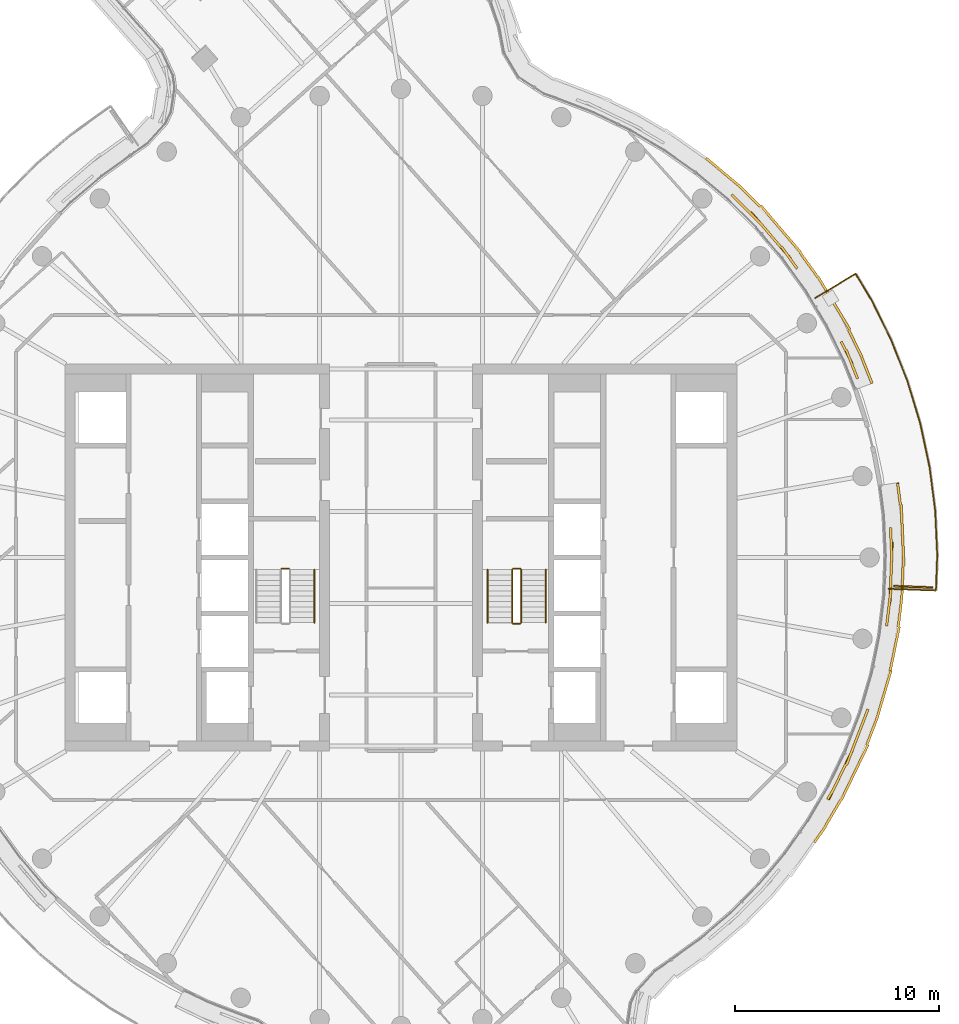
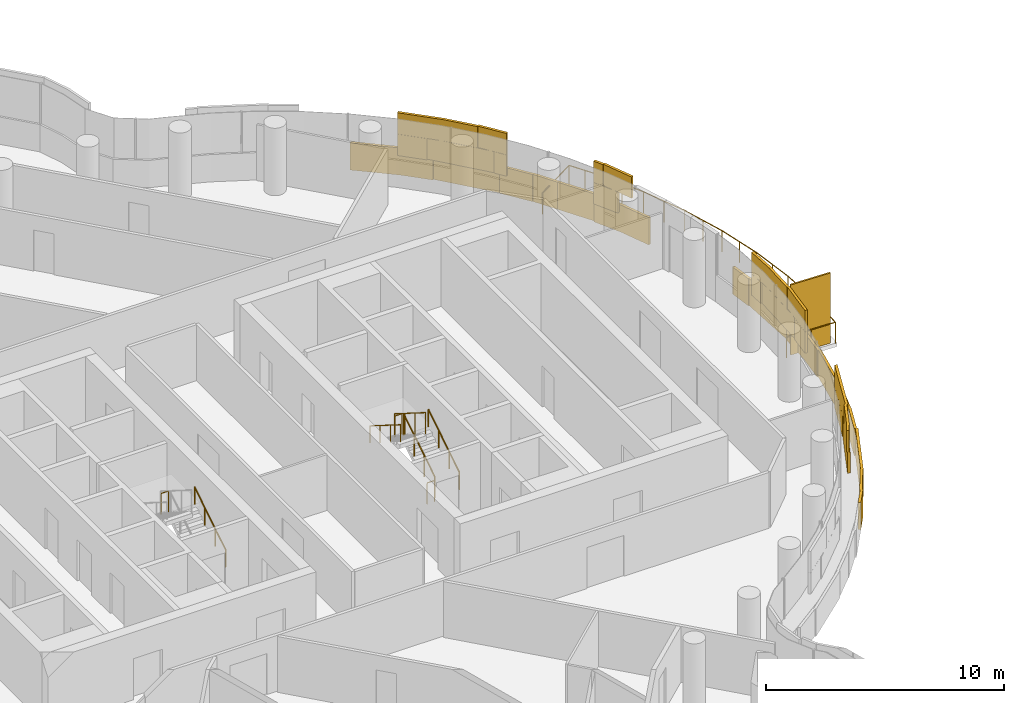
# One storey, part 30 of 33: 9 railings, 4 coverings, 1 shading device.
"""IFC4 building model written with IfcOpenShell, lengths in metres."""

import ifcopenshell
import ifcopenshell.guid

model = None  # the IFC model being written
_history = None  # IfcOwnerHistory: only IFC2X3 demands one
_inside = {}  # id of a spatial element -> (the spatial element, [elements in it])
_under = {}  # id of a project, library or spatial element -> (it, [spatial elements below it])
_declared = {}  # id of a project -> (the project, [libraries it declares])
_typed = {}  # id of a type object -> (the type object, [elements of that type])
_made_of = {}  # id of a material, layer set ... -> (it, [elements and type objects made of it])


def new_model(schema):
    """Start an empty IFC model of exactly this schema.

    Asked for "IFC4X3", IfcOpenShell would pick the latest addendum, in which some entities
    have other attributes; the version numbers below select the first issue.
    IFC2X3 requires an IfcOwnerHistory on every rooted entity: one is made here for all.
    """
    global model, _history
    if schema == "IFC4X3":
        model = ifcopenshell.file(schema_version=(4, 3, 0, 0))
    else:
        model = ifcopenshell.file(schema=schema)
    _inside.clear()
    _under.clear()
    _declared.clear()
    _typed.clear()
    _made_of.clear()
    _history = None
    if model.schema == "IFC2X3":
        org = make("IfcOrganization", Name="unknown")
        user = make(
            "IfcPersonAndOrganization",
            ThePerson=make("IfcPerson", FamilyName="unknown"),
            TheOrganization=org,
        )
        app = make(
            "IfcApplication",
            ApplicationDeveloper=org,
            Version="unknown",
            ApplicationFullName="unknown",
            ApplicationIdentifier="unknown",
        )
        _history = make(
            "IfcOwnerHistory",
            OwningUser=user,
            OwningApplication=app,
            ChangeAction="ADDED",
            CreationDate=0,
        )
    return model


def make(cls, **values):
    """One entity of the class cls with the attributes given. An attribute that is None is left unset."""
    return model.create_entity(
        cls, **{name: value for name, value in values.items() if value is not None}
    )


def rooted(cls, **values):
    """An entity with a GlobalId (a new one), such as an element, a storey or a relation."""
    return make(cls, GlobalId=ifcopenshell.guid.new(), OwnerHistory=_history, **values)


def si_unit(unit_type, name, prefix=None):
    """IfcSIUnit, for example si_unit("LENGTHUNIT", "METRE", prefix="MILLI")."""
    return make("IfcSIUnit", UnitType=unit_type, Prefix=prefix, Name=name)


def assignment(units):
    """IfcUnitAssignment: the units of a project."""
    return None if units is None else make("IfcUnitAssignment", Units=units)


def point(xyz):
    """IfcCartesianPoint."""
    return None if xyz is None else make("IfcCartesianPoint", Coordinates=xyz)


def direction(xyz):
    """IfcDirection."""
    return None if xyz is None else make("IfcDirection", DirectionRatios=xyz)


def frame(location, z_axis=None, x_axis=None):
    """IfcAxis2Placement3D, a coordinate frame: its origin and axes. An axis left out is left unset."""
    return make(
        "IfcAxis2Placement3D",
        Location=point(location),
        Axis=direction(z_axis),
        RefDirection=direction(x_axis),
    )


def frame_2d(location, x_axis=None):
    """IfcAxis2Placement2D, a coordinate frame in the plane: its origin and x axis."""
    return make(
        "IfcAxis2Placement2D", Location=point(location), RefDirection=direction(x_axis)
    )


def origin():
    """The frame at (0, 0, 0) with its axes left unset."""
    return frame((0.0, 0.0, 0.0))


def origin_2d():
    """The frame at (0, 0) in the plane with its x axis left unset."""
    return frame_2d((0.0, 0.0))


def place(relative_to, where):
    """IfcLocalPlacement: puts the frame where relative to a parent placement (None: the world)."""
    return make(
        "IfcLocalPlacement", PlacementRelTo=relative_to, RelativePlacement=where
    )


def context(
    kind, dimensions, precision=None, world=None, true_north=None, identifier=None
):
    """IfcGeometricRepresentationContext, for example the 3D "Model" context."""
    return make(
        "IfcGeometricRepresentationContext",
        ContextIdentifier=identifier,
        ContextType=kind,
        CoordinateSpaceDimension=dimensions,
        Precision=precision,
        WorldCoordinateSystem=world,
        TrueNorth=true_north,
    )


def subcontext(parent, identifier, kind, view, scale=None):
    """IfcGeometricRepresentationSubContext, for example "Body" below "Model"."""
    return make(
        "IfcGeometricRepresentationSubContext",
        ContextIdentifier=identifier,
        ContextType=kind,
        ParentContext=parent,
        TargetScale=scale,
        TargetView=view,
    )


def project(units=None, contexts=None):
    """IfcProject with its units and contexts."""
    return rooted(
        "IfcProject",
        Name="project",
        RepresentationContexts=contexts,
        UnitsInContext=assignment(units),
    )


def spatial(cls, under=None, at=None, **own):
    """A site, building, storey or space (cls), placed at a placement, below another one or the project."""
    s = rooted(cls, ObjectPlacement=at, **own)
    if under is not None:
        _under.setdefault(under.id(), (under, []))[1].append(s)
    return s


def profile(cls, at=None, kind="AREA", **sizes):
    """A parametric profile (cls). Its sizes go by their IFC names, for example OverallWidth=200.0."""
    return make(cls, ProfileType=kind, Position=at, **sizes)


def rectangle(**sizes):
    """IfcRectangleProfileDef."""
    return profile("IfcRectangleProfileDef", **sizes)


def circle(**sizes):
    """IfcCircleProfileDef."""
    return profile("IfcCircleProfileDef", **sizes)


def extrude(swept, where, along, depth):
    """IfcExtrudedAreaSolid: the profile swept, set in the frame where, extruded along a direction by depth."""
    return make(
        "IfcExtrudedAreaSolid",
        SweptArea=swept,
        Position=where,
        ExtrudedDirection=direction(along),
        Depth=depth,
    )


def shape(context_of_items, identifier, shape_type, items):
    """IfcShapeRepresentation: the items that make up one representation, for example the "Body"."""
    return make(
        "IfcShapeRepresentation",
        ContextOfItems=context_of_items,
        RepresentationIdentifier=identifier,
        RepresentationType=shape_type,
        Items=items,
    )


def material(Name=None, Category=None):
    """IfcMaterial."""
    return make("IfcMaterial", Name=Name, Category=Category)


def layer(
    of_material, thickness, ventilated=None, Name=None, Category=None, Priority=None
):
    """IfcMaterialLayer: one layer of a wall or slab, of a material (None: an air gap)."""
    return make(
        "IfcMaterialLayer",
        Material=of_material,
        LayerThickness=thickness,
        IsVentilated=ventilated,
        Name=Name,
        Category=Category,
        Priority=Priority,
    )


def layer_set(layers, Name=None):
    """IfcMaterialLayerSet."""
    return make("IfcMaterialLayerSet", MaterialLayers=layers, LayerSetName=Name)


def made_of(thing, what):
    """Note that an element or type object is made of a material, layer set ...; save() writes the relation."""
    if what is not None:
        _made_of.setdefault(what.id(), (what, []))[1].append(thing)
    return thing


def type_object(cls, material=None, **own):
    """A type object (cls), such as IfcWallType, which elements share."""
    return made_of(rooted(cls, **own), material)


def element(
    cls,
    number,
    at=None,
    inside=None,
    cuts=None,
    type_object=None,
    material=None,
    context=None,
    identifier="Body",
    shape_type=None,
    held_by="IfcProductDefinitionShape",
    body=None,
    shapes=None,
    **own,
):
    """One element of the class cls, such as IfcWall. Its Tag is "e" and its number.

    at: its placement. inside: the storey or other place that contains it. cuts: it is an
    opening in that element (IfcRelVoidsElement). A single representation is given by context,
    identifier, shape_type and body (its items); several are given by shapes. held_by: the class
    of the entity that holds the representations. save() writes the other relations.
    """
    e = rooted(cls, Tag="e%d" % number, ObjectPlacement=at, **own)
    if body is not None:
        shapes = [shape(context, identifier, shape_type, body)]
    if shapes is not None:
        e.Representation = make(held_by, Representations=shapes)
    if inside is not None:
        _inside.setdefault(inside.id(), (inside, []))[1].append(e)
    if cuts is not None:
        rooted(
            "IfcRelVoidsElement", RelatingBuildingElement=cuts, RelatedOpeningElement=e
        )
    if type_object is not None:
        _typed.setdefault(type_object.id(), (type_object, []))[1].append(e)
    return made_of(e, material)


def aggregate(whole, parts):
    """IfcRelAggregates: a whole, such as a stair, and the parts it consists of."""
    return rooted("IfcRelAggregates", RelatingObject=whole, RelatedObjects=parts)


def save(model, path):
    """Write the relations noted so far, then the file.

    IfcRelAggregates (storeys below a building ...), IfcRelContainedInSpatialStructure (elements
    in a storey), IfcRelDefinesByType, IfcRelAssociatesMaterial and IfcRelDeclares: one each for
    every whole, place, type object, material and project.
    """
    for whole, parts in _under.values():
        aggregate(whole, parts)
    for where, things in _inside.values():
        rooted(
            "IfcRelContainedInSpatialStructure",
            RelatedElements=things,
            RelatingStructure=where,
        )
    for kind, things in _typed.values():
        rooted("IfcRelDefinesByType", RelatedObjects=things, RelatingType=kind)
    for what, things in _made_of.values():
        rooted("IfcRelAssociatesMaterial", RelatedObjects=things, RelatingMaterial=what)
    for by, libraries in _declared.values():
        rooted("IfcRelDeclares", RelatingContext=by, RelatedDefinitions=libraries)
    model.write(path)


model = new_model("IFC4")

# Units and contexts
model_context = context("Model", 3, precision=1e-05, world=origin(), true_north=direction((0.0, 1.0)))
body_context = subcontext(model_context, "Body", "Model", "MODEL_VIEW")
ifc_project = project(units=[si_unit("LENGTHUNIT", "METRE"), si_unit("AREAUNIT", "SQUARE_METRE"), si_unit("VOLUMEUNIT", "CUBIC_METRE"), si_unit("PLANEANGLEUNIT", "RADIAN"), si_unit("MASSUNIT", "GRAM", prefix="KILO")], contexts=[model_context])

# Site, building, storey
site_placement = place(None, origin())
site = spatial("IfcSite", under=ifc_project, at=site_placement, CompositionType="ELEMENT")
building_placement = place(site_placement, origin())
building = spatial("IfcBuilding", under=site, at=building_placement, Name="Tamarind Cross Interchange Tower", CompositionType="ELEMENT")
storey_placement = place(building_placement, frame((0.0, 0.0, 186.10009765625)))
storey = spatial("IfcBuildingStorey", under=building, at=storey_placement, Name="L46", CompositionType="ELEMENT", Elevation=186.10009765625)

# Railing
ifc_material_1 = material(Name="Stainless steel and laminated glass", Category="steel")
railing_type_1 = type_object("IfcRailingType", Name="Balcony guard", PredefinedType="BALUSTRADE", material=ifc_material_1)
railing_1_placement = place(storey_placement, frame((23.934814453125, -1.53857421875, 0.0)))
element("IfcRailing", 1, at=railing_1_placement, inside=storey, type_object=railing_type_1, Name="Balcony guard 06", PredefinedType="BALUSTRADE", context=body_context, shape_type="SweptSolid", body=[
    extrude(circle(Radius=0.02490234375, at=origin_2d()), frame((0.0, 0.0, 1.0751953125), z_axis=(0.999313824397, -0.037038903463, 0.0), x_axis=(0.037038903463, 0.999313824397, 0.0)), (0.0, 0.0, 1.0), 2.3203125),
    extrude(circle(Radius=0.02490234375, at=origin_2d()), frame((2.318603515625, -0.0859375, 1.0751953125), z_axis=(0.036923385799, 0.999318099296, 0.0), x_axis=(-0.999318099296, 0.036923385799, 0.0)), (0.0, 0.0, 1.0), 1.739013671875),
    extrude(circle(Radius=0.02490234375, at=origin_2d()), frame((2.3828125, 1.65185546875, 1.0751953125), z_axis=(-0.045570585979, 0.998961121212, 0.0), x_axis=(-0.998961121212, -0.045570585979, 0.0)), (0.0, 0.0, 1.0), 2.175048828125),
    extrude(circle(Radius=0.02490234375, at=origin_2d()), frame((2.28369140625, 3.82470703125, 1.0751953125), z_axis=(-0.127957091824, 0.991779704699, 0.0), x_axis=(-0.991779704699, -0.127957091824, 0.0)), (0.0, 0.0, 1.0), 2.175048828125),
    extrude(circle(Radius=0.02490234375, at=origin_2d()), frame((2.00537109375, 5.98193359375, 1.0751953125), z_axis=(-0.209437106955, 0.977822119933, 0.0), x_axis=(-0.977822119933, -0.209437106955, 0.0)), (0.0, 0.0, 1.0), 2.17529296875),
    extrude(circle(Radius=0.02490234375, at=origin_2d()), frame((1.5498046875, 8.10888671875, 1.0751953125), z_axis=(-0.289468424656, 0.957187563191, 0.0), x_axis=(-0.957187563191, -0.289468424656, 0.0)), (0.0, 0.0, 1.0), 2.175048828125),
    extrude(circle(Radius=0.02490234375, at=origin_2d()), frame((0.920166015625, 10.19091796875, 1.0751953125), z_axis=(-0.367439931593, 0.930047255074, 0.0), x_axis=(-0.930047255074, -0.367439931593, 0.0)), (0.0, 0.0, 1.0), 2.17529296875),
    extrude(circle(Radius=0.02490234375, at=origin_2d()), frame((0.120849609375, 12.214111328125, 1.0751953125), z_axis=(-0.443123395184, 0.896460627491, 0.0), x_axis=(-0.896460627491, -0.443123395184, 0.0)), (0.0, 0.0, 1.0), 2.175048828125),
    extrude(circle(Radius=0.02490234375, at=origin_2d()), frame((-0.843017578125, 14.1640625, 1.0751953125), z_axis=(-0.515584249681, 0.85683888887, 0.0), x_axis=(-0.85683888887, -0.515584249681, 0.0)), (0.0, 0.0, 1.0), 1.5166015625),
    extrude(circle(Radius=0.02490234375, at=origin_2d()), frame((-1.625, 15.463623046875, 1.0751953125), z_axis=(-0.856879513456, -0.515516730495, 0.0), x_axis=(0.515516730495, -0.856879513456, 0.0)), (0.0, 0.0, 1.0), 2.320068359375),
    extrude(circle(Radius=0.02001953125, at=origin_2d()), origin(), (0.0, 0.0, 1.0), 1.050048828125),
    extrude(circle(Radius=0.02001953125, at=origin_2d()), frame((1.1591796875, -0.04296875, 0.0)), (0.0, 0.0, 1.0), 1.050048828125),
    extrude(circle(Radius=0.02001953125, at=origin_2d()), frame((2.318603515625, -0.0859375, 0.0)), (0.0, 0.0, 1.0), 1.050048828125),
    extrude(circle(Radius=0.02001953125, at=origin_2d()), frame((2.3505859375, 0.782958984375, 0.0)), (0.0, 0.0, 1.0), 1.050048828125),
    extrude(circle(Radius=0.02001953125, at=origin_2d()), frame((2.3828125, 1.65185546875, 0.0)), (0.0, 0.0, 1.0), 1.050048828125),
    extrude(circle(Radius=0.02001953125, at=origin_2d()), frame((2.333251953125, 2.73828125, 0.0)), (0.0, 0.0, 1.0), 1.050048828125),
    extrude(circle(Radius=0.02001953125, at=origin_2d()), frame((2.28369140625, 3.82470703125, 0.0)), (0.0, 0.0, 1.0), 1.050048828125),
    extrude(circle(Radius=0.02001953125, at=origin_2d()), frame((2.14453125, 4.9033203125, 0.0)), (0.0, 0.0, 1.0), 1.050048828125),
    extrude(circle(Radius=0.02001953125, at=origin_2d()), frame((2.00537109375, 5.98193359375, 0.0)), (0.0, 0.0, 1.0), 1.050048828125),
    extrude(circle(Radius=0.02001953125, at=origin_2d()), frame((1.777587890625, 7.04541015625, 0.0)), (0.0, 0.0, 1.0), 1.050048828125),
    extrude(circle(Radius=0.02001953125, at=origin_2d()), frame((1.5498046875, 8.10888671875, 0.0)), (0.0, 0.0, 1.0), 1.050048828125),
    extrude(circle(Radius=0.02001953125, at=origin_2d()), frame((1.23486328125, 9.14990234375, 0.0)), (0.0, 0.0, 1.0), 1.050048828125),
    extrude(circle(Radius=0.02001953125, at=origin_2d()), frame((0.920166015625, 10.19091796875, 0.0)), (0.0, 0.0, 1.0), 1.050048828125),
    extrude(circle(Radius=0.02001953125, at=origin_2d()), frame((0.5205078125, 11.20263671875, 0.0)), (0.0, 0.0, 1.0), 1.050048828125),
    extrude(circle(Radius=0.02001953125, at=origin_2d()), frame((0.120849609375, 12.214111328125, 0.0)), (0.0, 0.0, 1.0), 1.050048828125),
    extrude(circle(Radius=0.02001953125, at=origin_2d()), frame((-0.361083984375, 13.18896484375, 0.0)), (0.0, 0.0, 1.0), 1.050048828125),
    extrude(circle(Radius=0.02001953125, at=origin_2d()), frame((-0.843017578125, 14.1640625, 0.0)), (0.0, 0.0, 1.0), 1.050048828125),
    extrude(circle(Radius=0.02001953125, at=origin_2d()), frame((-1.23388671875, 14.81396484375, 0.0)), (0.0, 0.0, 1.0), 1.050048828125),
    extrude(circle(Radius=0.02001953125, at=origin_2d()), frame((-1.625, 15.463623046875, 0.0)), (0.0, 0.0, 1.0), 1.050048828125),
    extrude(circle(Radius=0.02001953125, at=origin_2d()), frame((-2.619140625, 14.86572265625, 0.0)), (0.0, 0.0, 1.0), 1.050048828125),
    extrude(circle(Radius=0.02001953125, at=origin_2d()), frame((-3.613037109375, 14.267578125, 0.0)), (0.0, 0.0, 1.0), 1.050048828125),
])

# Shading device
ifc_material_2 = material(Name="Bronze-finish aluminium louvre", Category="aluminium")
ifc_layer_1 = layer(ifc_material_2, 0.080078125)
ifc_layer_set_1 = layer_set([ifc_layer_1], Name="Bronze-finish aluminium louvre")
shading_device_type = type_object("IfcShadingDeviceType", Name="Operable louvre bay", PredefinedType="JALOUSIE", material=ifc_layer_set_1)
shading_device_placement = place(storey_placement, origin())
element("IfcShadingDevice", 2, at=shading_device_placement, inside=storey, type_object=shading_device_type, Name="LVR-L46-BAL06", PredefinedType="JALOUSIE", context=body_context, shape_type="SweptSolid", body=[
    extrude(rectangle(XDim=1.89990234375, YDim=0.080078125, at=origin_2d()), frame((25.13916015625, -1.443115234375, -0.000244140625), z_axis=(0.0, 0.0, 1.0), x_axis=(0.999314350871, -0.037024696392, 0.0)), (0.0, 0.0, 1.0), 3.60009765625),
])

# Railings
ifc_material_3 = material(Name="Stair guard")
railing_type_2 = type_object("IfcRailingType", Name="Stair guard", PredefinedType="GUARDRAIL", material=ifc_material_3)
railing_2_placement = place(storey_placement, frame((-5.5, -0.550048828125, 1.7998046875)))
element("IfcRailing", 3, at=railing_2_placement, inside=storey, type_object=railing_type_2, Name="L46 ST1 stair guard 2", PredefinedType="GUARDRAIL", context=body_context, shape_type="SweptSolid", body=[
    extrude(circle(Radius=0.02392578125, at=origin_2d()), frame((0.0, 0.0, 1.076171875), z_axis=(-1.0, 0.0, 0.0), x_axis=(0.0, -1.0, 0.0)), (0.0, 0.0, 1.0), 0.35009765625),
    extrude(circle(Radius=0.02099609375, at=origin_2d()), origin(), (0.0, 0.0, 1.0), 1.052001953125),
    extrude(circle(Radius=0.02099609375, at=origin_2d()), frame((-0.35009765625, 0.0, 0.0)), (0.0, 0.0, 1.0), 1.052001953125),
])
railing_3_placement = place(storey_placement, frame((5.89990234375, -3.199951171875, 0.16357421875)))
element("IfcRailing", 4, at=railing_3_placement, inside=storey, type_object=railing_type_2, Name="L46 ST2 stair guard 1", PredefinedType="GUARDRAIL", context=body_context, shape_type="SweptSolid", body=[
    extrude(circle(Radius=0.02392578125, at=origin_2d()), frame((0.0, 0.0, 1.076171875), z_axis=(0.0, 0.846337672412, 0.532646734952), x_axis=(-1.0, 0.0, 0.0)), (0.0, 0.0, 1.0), 3.07177734375),
    extrude(circle(Radius=0.02099609375, at=origin_2d()), origin(), (0.0, 0.0, 1.0), 1.052001953125),
    extrude(circle(Radius=0.02099609375, at=origin_2d()), frame((0.0, 0.86669921875, 0.54541015625)), (0.0, 0.0, 1.0), 1.052001953125),
    extrude(circle(Radius=0.02099609375, at=origin_2d()), frame((0.0, 1.733154296875, 1.0908203125)), (0.0, 0.0, 1.0), 1.052001953125),
    extrude(circle(Radius=0.02099609375, at=origin_2d()), frame((0.0, 2.599853515625, 1.63623046875)), (0.0, 0.0, 1.0), 1.052001953125),
])
railing_4_placement = place(storey_placement, frame((5.85009765625, -0.550048828125, 1.7998046875)))
element("IfcRailing", 5, at=railing_4_placement, inside=storey, type_object=railing_type_2, Name="L46 ST2 stair guard 2", PredefinedType="GUARDRAIL", context=body_context, shape_type="SweptSolid", body=[
    extrude(circle(Radius=0.02392578125, at=origin_2d()), frame((0.0, 0.0, 1.076171875), z_axis=(-1.0, 0.0, 0.0), x_axis=(0.0, -1.0, 0.0)), (0.0, 0.0, 1.0), 0.35009765625),
    extrude(circle(Radius=0.02099609375, at=origin_2d()), origin(), (0.0, 0.0, 1.0), 1.052001953125),
    extrude(circle(Radius=0.02099609375, at=origin_2d()), frame((-0.35009765625, 0.0, 0.0)), (0.0, 0.0, 1.0), 1.052001953125),
])
railing_5_placement = place(storey_placement, frame((5.449951171875, -0.60009765625, 1.963623046875)))
element("IfcRailing", 6, at=railing_5_placement, inside=storey, type_object=railing_type_2, Name="L46 ST2 stair guard 3", PredefinedType="GUARDRAIL", context=body_context, shape_type="SweptSolid", body=[
    extrude(circle(Radius=0.02392578125, at=origin_2d()), frame((0.0, 0.0, 1.076171875), z_axis=(0.0, -0.846337672412, 0.532646734952), x_axis=(1.0, 0.0, 0.0)), (0.0, 0.0, 1.0), 3.07177734375),
    extrude(circle(Radius=0.02099609375, at=origin_2d()), origin(), (0.0, 0.0, 1.0), 1.052001953125),
    extrude(circle(Radius=0.02099609375, at=origin_2d()), frame((0.0, -0.86669921875, 0.54541015625)), (0.0, 0.0, 1.0), 1.052001953125),
    extrude(circle(Radius=0.02099609375, at=origin_2d()), frame((0.0, -1.733154296875, 1.0908203125)), (0.0, 0.0, 1.0), 1.052001953125),
    extrude(circle(Radius=0.02099609375, at=origin_2d()), frame((0.0, -2.599853515625, 1.63623046875)), (0.0, 0.0, 1.0), 1.052001953125),
])
railing_6_placement = place(storey_placement, frame((5.85009765625, -3.25, 0.0)))
element("IfcRailing", 7, at=railing_6_placement, inside=storey, type_object=railing_type_2, Name="L46 ST2 stair guard 4", PredefinedType="GUARDRAIL", context=body_context, shape_type="SweptSolid", body=[
    extrude(circle(Radius=0.02392578125, at=origin_2d()), frame((0.0, 0.0, 1.076171875), z_axis=(-1.0, 0.0, 0.0), x_axis=(0.0, -1.0, 0.0)), (0.0, 0.0, 1.0), 0.35009765625),
    extrude(circle(Radius=0.02099609375, at=origin_2d()), origin(), (0.0, 0.0, 1.0), 1.052001953125),
    extrude(circle(Radius=0.02099609375, at=origin_2d()), frame((-0.35009765625, 0.0, 0.0)), (0.0, 0.0, 1.0), 1.052001953125),
])
ifc_material_4 = material(Name="Stair handrail")
railing_type_3 = type_object("IfcRailingType", Name="Stair handrail", PredefinedType="HANDRAIL", material=ifc_material_4)
for number, where, name in (
    (8, (-4.25, -3.199951171875, 0.16357421875), "L46 ST1 stair handrail 1"),
    (9, (7.10009765625, -3.199951171875, 0.16357421875), "L46 ST2 stair handrail 1"),
):
    element("IfcRailing", number, at=place(storey_placement, frame(where)), inside=storey, type_object=railing_type_3, Name=name, PredefinedType="HANDRAIL", context=body_context, shape_type="SweptSolid", body=[
        extrude(circle(Radius=0.02392578125, at=origin_2d()), frame((0.0, 0.0, 0.8759765625), z_axis=(0.0, 0.846337672412, 0.532646734952), x_axis=(-1.0, 0.0, 0.0)), (0.0, 0.0, 1.0), 3.07177734375),
        extrude(circle(Radius=0.02099609375, at=origin_2d()), origin(), (0.0, 0.0, 1.0), 0.851806640625),
        extrude(circle(Radius=0.02099609375, at=origin_2d()), frame((0.0, 0.86669921875, 0.54541015625)), (0.0, 0.0, 1.0), 0.851806640625),
        extrude(circle(Radius=0.02099609375, at=origin_2d()), frame((0.0, 1.733154296875, 1.0908203125)), (0.0, 0.0, 1.0), 0.851806640625),
        extrude(circle(Radius=0.02099609375, at=origin_2d()), frame((0.0, 2.599853515625, 1.63623046875)), (0.0, 0.0, 1.0), 0.851806640625),
    ])
railing_7_placement = place(storey_placement, frame((4.25, -0.60009765625, 1.963623046875)))
element("IfcRailing", 10, at=railing_7_placement, inside=storey, type_object=railing_type_3, Name="L46 ST2 stair handrail 2", PredefinedType="HANDRAIL", context=body_context, shape_type="SweptSolid", body=[
    extrude(circle(Radius=0.02392578125, at=origin_2d()), frame((0.0, 0.0, 0.8759765625), z_axis=(0.0, -0.846337672412, 0.532646734952), x_axis=(1.0, 0.0, 0.0)), (0.0, 0.0, 1.0), 3.07177734375),
    extrude(circle(Radius=0.02099609375, at=origin_2d()), origin(), (0.0, 0.0, 1.0), 0.851806640625),
    extrude(circle(Radius=0.02099609375, at=origin_2d()), frame((0.0, -0.86669921875, 0.54541015625)), (0.0, 0.0, 1.0), 0.851806640625),
    extrude(circle(Radius=0.02099609375, at=origin_2d()), frame((0.0, -1.733154296875, 1.0908203125)), (0.0, 0.0, 1.0), 0.851806640625),
    extrude(circle(Radius=0.02099609375, at=origin_2d()), frame((0.0, -2.599853515625, 1.63623046875)), (0.0, 0.0, 1.0), 0.851806640625),
])

# Coverings
ifc_material_5 = material(Name="Terracotta", Category="masonry")
ifc_layer_2 = layer(ifc_material_5, 0.1201171875)
ifc_layer_set_2 = layer_set([ifc_layer_2], Name="Terracotta")
covering_type = type_object("IfcCoveringType", Name="Terracotta baguette screen unit", PredefinedType="MOLDING", material=ifc_layer_set_2)
covering_1_placement = place(storey_placement, origin())
element("IfcCovering", 11, at=covering_1_placement, inside=storey, type_object=covering_type, Name="SCR-L46-06-01", PredefinedType="MOLDING", context=body_context, shape_type="SweptSolid", body=[
    extrude(rectangle(XDim=1.177978515625, YDim=0.1201171875, at=origin_2d()), frame((21.234619140625, -11.367431640625, 1.40380859375), z_axis=(0.0, 0.0, 1.0), x_axis=(0.435326231914, 0.900272776334, 0.0)), (0.0, 0.0, 1.0), 1.092041015625),
    extrude(rectangle(XDim=1.52001953125, YDim=0.1201171875, at=origin_2d()), frame((21.8154296875, -10.16650390625, 1.40380859375), z_axis=(0.0, 0.0, 1.0), x_axis=(0.435326231914, 0.900272776334, 0.0)), (0.0, 0.0, 1.0), 1.092041015625),
    extrude(rectangle(XDim=1.52001953125, YDim=0.1201171875, at=origin_2d()), frame((22.404052734375, -8.7880859375, 1.40380859375), z_axis=(0.0, 0.0, 1.0), x_axis=(0.359495435512, 0.933146843667, 0.0)), (0.0, 0.0, 1.0), 1.092041015625),
    extrude(rectangle(XDim=0.684814453125, YDim=0.1201171875, at=origin_2d()), frame((22.794921875, -7.7734375, 1.40380859375), z_axis=(0.0, 0.0, 1.0), x_axis=(0.359495435512, 0.933146843667, 0.0)), (0.0, 0.0, 1.0), 1.092041015625),
    extrude(rectangle(XDim=0.427978515625, YDim=0.1201171875, at=origin_2d()), frame((21.04443359375, -11.690673828125, 2.50390625), z_axis=(0.0, 0.0, 1.0), x_axis=(0.508183308752, 0.861248933065, 0.0)), (0.0, 0.0, 1.0), 1.092041015625),
    extrude(rectangle(XDim=1.52001953125, YDim=0.1201171875, at=origin_2d()), frame((21.48876953125, -10.841552734375, 2.50390625), z_axis=(0.0, 0.0, 1.0), x_axis=(0.435326231914, 0.900272776334, 0.0)), (0.0, 0.0, 1.0), 1.092041015625),
    extrude(rectangle(XDim=1.52001953125, YDim=0.1201171875, at=origin_2d()), frame((22.13427734375, -9.488037109375, 2.50390625), z_axis=(0.0, 0.0, 1.0), x_axis=(0.359495435512, 0.933146843667, 0.0)), (0.0, 0.0, 1.0), 1.092041015625),
    extrude(rectangle(XDim=1.434814453125, YDim=0.1201171875, at=origin_2d()), frame((22.66015625, -8.123291015625, 2.50390625), z_axis=(0.0, 0.0, 1.0), x_axis=(0.359495435512, 0.933146843667, 0.0)), (0.0, 0.0, 1.0), 1.092041015625),
    extrude(rectangle(XDim=0.96337890625, YDim=0.1201171875, at=origin_2d()), frame((20.574462890625, -13.58056640625, 0.00390625), z_axis=(0.0, 0.0, 1.0), x_axis=(0.577568978284, 0.816341886298, 0.0)), (0.0, 0.0, 1.0), 1.39208984375),
    extrude(rectangle(XDim=1.52001953125, YDim=0.1201171875, at=origin_2d()), frame((21.210693359375, -12.538330078125, 0.00390625), z_axis=(0.0, 0.0, 1.0), x_axis=(0.508183308752, 0.861248933065, 0.0)), (0.0, 0.0, 1.0), 1.39208984375),
    extrude(rectangle(XDim=1.52001953125, YDim=0.1201171875, at=origin_2d()), frame((21.939208984375, -11.228515625, 0.00390625), z_axis=(0.0, 0.0, 1.0), x_axis=(0.435326231914, 0.900272776334, 0.0)), (0.0, 0.0, 1.0), 1.39208984375),
    extrude(rectangle(XDim=1.52001953125, YDim=0.1201171875, at=origin_2d()), frame((22.59228515625, -9.878173828125, 0.00390625), z_axis=(0.0, 0.0, 1.0), x_axis=(0.435326231914, 0.900272776334, 0.0)), (0.0, 0.0, 1.0), 1.39208984375),
    extrude(rectangle(XDim=1.52001953125, YDim=0.1201171875, at=origin_2d()), frame((23.137451171875, -8.48095703125, 0.00390625), z_axis=(0.0, 0.0, 1.0), x_axis=(0.359495435512, 0.933146843667, 0.0)), (0.0, 0.0, 1.0), 1.39208984375),
    extrude(rectangle(XDim=1.52001953125, YDim=0.1201171875, at=origin_2d()), frame((23.607421875, -7.057861328125, 0.00390625), z_axis=(0.0, 0.0, 1.0), x_axis=(0.281208920763, 0.95964657186, 0.0)), (0.0, 0.0, 1.0), 1.39208984375),
    extrude(rectangle(XDim=0.81494140625, YDim=0.1201171875, at=origin_2d()), frame((23.93017578125, -5.95654296875, 0.00390625), z_axis=(0.0, 0.0, 1.0), x_axis=(0.281208920763, 0.95964657186, 0.0)), (0.0, 0.0, 1.0), 1.39208984375),
])
covering_2_placement = place(storey_placement, origin())
element("IfcCovering", 12, at=covering_2_placement, inside=storey, type_object=covering_type, Name="SCR-L46-06-02", PredefinedType="MOLDING", context=body_context, shape_type="SweptSolid", body=[
    extrude(rectangle(XDim=1.13525390625, YDim=0.1201171875, at=origin_2d()), frame((23.9013671875, -2.8056640625, 1.40380859375), z_axis=(0.0, 0.0, 1.0), x_axis=(0.119420963295, 0.992843710523, 0.0)), (0.0, 0.0, 1.0), 1.092041015625),
    extrude(rectangle(XDim=1.52001953125, YDim=0.1201171875, at=origin_2d()), frame((24.0263671875, -1.5, 1.40380859375), z_axis=(0.0, 0.0, 1.0), x_axis=(0.037024696392, 0.999314350871, 0.0)), (0.0, 0.0, 1.0), 1.092041015625),
    extrude(rectangle(XDim=1.52001953125, YDim=0.1201171875, at=origin_2d()), frame((24.08203125, -0.0009765625, 1.40380859375), z_axis=(0.0, 0.0, 1.0), x_axis=(0.037024696392, 0.999314350871, 0.0)), (0.0, 0.0, 1.0), 1.092041015625),
    extrude(rectangle(XDim=0.72802734375, YDim=0.1201171875, at=origin_2d()), frame((24.0400390625, 1.10693359375, 1.40380859375), z_axis=(0.0, 0.0, 1.0), x_axis=(-0.045624486728, 0.998958660912, 0.0)), (0.0, 0.0, 1.0), 1.092041015625),
    extrude(rectangle(XDim=0.38525390625, YDim=0.1201171875, at=origin_2d()), frame((23.856689453125, -3.177978515625, 2.50390625), z_axis=(0.0, 0.0, 1.0), x_axis=(0.119420963295, 0.992843710523, 0.0)), (0.0, 0.0, 1.0), 1.092041015625),
    extrude(rectangle(XDim=1.52001953125, YDim=0.1201171875, at=origin_2d()), frame((23.96875, -2.2470703125, 2.50390625), z_axis=(0.0, 0.0, 1.0), x_axis=(0.119420963295, 0.992843710523, 0.0)), (0.0, 0.0, 1.0), 1.092041015625),
    extrude(rectangle(XDim=1.52001953125, YDim=0.1201171875, at=origin_2d()), frame((24.05419921875, -0.75048828125, 2.50390625), z_axis=(0.0, 0.0, 1.0), x_axis=(0.037024696392, 0.999314350871, 0.0)), (0.0, 0.0, 1.0), 1.092041015625),
    extrude(rectangle(XDim=1.47802734375, YDim=0.1201171875, at=origin_2d()), frame((24.05712890625, 0.732421875, 2.50390625), z_axis=(0.0, 0.0, 1.0), x_axis=(-0.045624486728, 0.998958660912, 0.0)), (0.0, 0.0, 1.0), 1.092041015625),
    extrude(rectangle(XDim=0.705078125, YDim=0.1201171875, at=origin_2d()), frame((24.083251953125, -5.212158203125, 0.00390625), z_axis=(0.0, 0.0, 1.0), x_axis=(0.201001463943, 0.9795909409, 0.0)), (0.0, 0.0, 1.0), 1.39208984375),
    extrude(rectangle(XDim=1.52001953125, YDim=0.1201171875, at=origin_2d()), frame((24.302978515625, -4.14208984375, 0.00390625), z_axis=(0.0, 0.0, 1.0), x_axis=(0.201001463943, 0.9795909409, 0.0)), (0.0, 0.0, 1.0), 1.39208984375),
    extrude(rectangle(XDim=1.52001953125, YDim=0.1201171875, at=origin_2d()), frame((24.49755859375, -2.6552734375, 0.00390625), z_axis=(0.0, 0.0, 1.0), x_axis=(0.119420963295, 0.992843710523, 0.0)), (0.0, 0.0, 1.0), 1.39208984375),
    extrude(rectangle(XDim=1.52001953125, YDim=0.1201171875, at=origin_2d()), frame((24.61328125, -1.1611328125, 0.00390625), z_axis=(0.0, 0.0, 1.0), x_axis=(0.037024696392, 0.999314350871, 0.0)), (0.0, 0.0, 1.0), 1.39208984375),
    extrude(rectangle(XDim=1.52001953125, YDim=0.1201171875, at=origin_2d()), frame((24.649658203125, 0.337890625, 0.00390625), z_axis=(0.0, 0.0, 1.0), x_axis=(-0.045624486728, 0.998958660912, 0.0)), (0.0, 0.0, 1.0), 1.39208984375),
    extrude(rectangle(XDim=1.52001953125, YDim=0.1201171875, at=origin_2d()), frame((24.581298828125, 1.83642578125, 0.00390625), z_axis=(0.0, 0.0, 1.0), x_axis=(-0.045624486728, 0.998958660912, 0.0)), (0.0, 0.0, 1.0), 1.39208984375),
    extrude(rectangle(XDim=1.073974609375, YDim=0.1201171875, at=origin_2d()), frame((24.443115234375, 3.10498046875, 0.00390625), z_axis=(0.0, 0.0, 1.0), x_axis=(-0.127962008342, 0.991779070368, 0.0)), (0.0, 0.0, 1.0), 1.39208984375),
])
covering_3_placement = place(storey_placement, origin())
element("IfcCovering", 13, at=covering_3_placement, inside=storey, type_object=covering_type, Name="SCR-L46-06-03", PredefinedType="MOLDING", context=body_context, shape_type="SweptSolid", body=[
    extrude(rectangle(XDim=1.23583984375, YDim=0.1201171875, at=origin_2d()), frame((21.880615234375, 10.043212890625, 1.40380859375), z_axis=(0.0, 0.0, 1.0), x_axis=(-0.443058811505, 0.896492548518, 0.0)), (0.0, 0.0, 1.0), 1.092041015625),
    extrude(rectangle(XDim=1.52001953125, YDim=0.1201171875, at=origin_2d()), frame((22.128662109375, 9.4833984375, 2.50390625), z_axis=(0.0, 0.0, 1.0), x_axis=(-0.367513773146, 0.930018078613, 0.0)), (0.0, 0.0, 1.0), 1.092041015625),
    extrude(rectangle(XDim=0.48583984375, YDim=0.1201171875, at=origin_2d()), frame((21.71435546875, 10.37939453125, 2.50390625), z_axis=(0.0, 0.0, 1.0), x_axis=(-0.443058811505, 0.896492548518, 0.0)), (0.0, 0.0, 1.0), 1.092041015625),
    extrude(rectangle(XDim=0.03076171875, YDim=0.1201171875, at=origin_2d()), frame((24.372314453125, 3.65283203125, 0.00390625), z_axis=(0.0, 0.0, 1.0), x_axis=(-0.127962008342, 0.991779070368, 0.0)), (0.0, 0.0, 1.0), 1.39208984375),
    extrude(rectangle(XDim=1.371826171875, YDim=0.1201171875, at=origin_2d()), frame((22.86572265625, 9.18017578125, 0.00390625), z_axis=(0.0, 0.0, 1.0), x_axis=(-0.367513773146, 0.930018078613, 0.0)), (0.0, 0.0, 1.0), 1.39208984375),
    extrude(rectangle(XDim=1.52001953125, YDim=0.1201171875, at=origin_2d()), frame((22.30078125, 10.488037109375, 0.00390625), z_axis=(0.0, 0.0, 1.0), x_axis=(-0.443058811505, 0.896492548518, 0.0)), (0.0, 0.0, 1.0), 1.39208984375),
    extrude(rectangle(XDim=1.52001953125, YDim=0.1201171875, at=origin_2d()), frame((21.635986328125, 11.832763671875, 0.00390625), z_axis=(0.0, 0.0, 1.0), x_axis=(-0.515577308909, 0.856843065292, 0.0)), (0.0, 0.0, 1.0), 1.39208984375),
    extrude(rectangle(XDim=0.30859375, YDim=0.1201171875, at=origin_2d()), frame((21.175048828125, 12.59912109375, 0.00390625), z_axis=(0.0, 0.0, 1.0), x_axis=(-0.515577308909, 0.856843065292, 0.0)), (0.0, 0.0, 1.0), 1.39208984375),
])
covering_4_placement = place(storey_placement, origin())
element("IfcCovering", 14, at=covering_4_placement, inside=storey, type_object=covering_type, Name="SCR-L46-06-04", PredefinedType="MOLDING", context=body_context, shape_type="SweptSolid", body=[
    extrude(rectangle(XDim=0.584228515625, YDim=0.1201171875, at=origin_2d()), frame((19.275146484375, 14.415283203125, 1.40380859375), z_axis=(0.0, 0.0, 1.0), x_axis=(-0.584573890505, 0.811340475102, 0.0)), (0.0, 0.0, 1.0), 1.092041015625),
    extrude(rectangle(XDim=1.52001953125, YDim=0.1201171875, at=origin_2d()), frame((18.638427734375, 15.232666015625, 1.40380859375), z_axis=(0.0, 0.0, 1.0), x_axis=(-0.64957723968, 0.760295606781, 0.0)), (0.0, 0.0, 1.0), 1.092041015625),
    extrude(rectangle(XDim=1.52001953125, YDim=0.1201171875, at=origin_2d()), frame((17.6640625, 16.373046875, 1.40380859375), z_axis=(0.0, 0.0, 1.0), x_axis=(-0.64957723968, 0.760295606781, 0.0)), (0.0, 0.0, 1.0), 1.092041015625),
    extrude(rectangle(XDim=1.278564453125, YDim=0.1201171875, at=origin_2d()), frame((16.68212890625, 17.348876953125, 1.40380859375), z_axis=(0.0, 0.0, 1.0), x_axis=(-0.710143317658, 0.704057148523, 0.0)), (0.0, 0.0, 1.0), 1.092041015625),
    extrude(rectangle(XDim=1.334228515625, YDim=0.1201171875, at=origin_2d()), frame((19.055908203125, 14.719482421875, 2.50390625), z_axis=(0.0, 0.0, 1.0), x_axis=(-0.584573890505, 0.811340475102, 0.0)), (0.0, 0.0, 1.0), 1.092041015625),
    extrude(rectangle(XDim=1.52001953125, YDim=0.1201171875, at=origin_2d()), frame((18.151123046875, 15.802978515625, 2.50390625), z_axis=(0.0, 0.0, 1.0), x_axis=(-0.64957723968, 0.760295606781, 0.0)), (0.0, 0.0, 1.0), 1.092041015625),
    extrude(rectangle(XDim=1.52001953125, YDim=0.1201171875, at=origin_2d()), frame((17.132568359375, 16.90234375, 2.50390625), z_axis=(0.0, 0.0, 1.0), x_axis=(-0.710143317658, 0.704057148523, 0.0)), (0.0, 0.0, 1.0), 1.092041015625),
    extrude(rectangle(XDim=0.528564453125, YDim=0.1201171875, at=origin_2d()), frame((16.416015625, 17.613037109375, 2.50390625), z_axis=(0.0, 0.0, 1.0), x_axis=(-0.710143317658, 0.704057148523, 0.0)), (0.0, 0.0, 1.0), 1.092041015625),
    extrude(rectangle(XDim=1.21142578125, YDim=0.1201171875, at=origin_2d()), frame((20.783203125, 13.250244140625, 0.00390625), z_axis=(0.0, 0.0, 1.0), x_axis=(-0.515577308909, 0.856843065292, 0.0)), (0.0, 0.0, 1.0), 1.39208984375),
    extrude(rectangle(XDim=1.52001953125, YDim=0.1201171875, at=origin_2d()), frame((20.022705078125, 14.359375, 0.00390625), z_axis=(0.0, 0.0, 1.0), x_axis=(-0.584573890505, 0.811340475102, 0.0)), (0.0, 0.0, 1.0), 1.39208984375),
    extrude(rectangle(XDim=1.52001953125, YDim=0.1201171875, at=origin_2d()), frame((19.1181640625, 15.5546875, 0.00390625), z_axis=(0.0, 0.0, 1.0), x_axis=(-0.64957723968, 0.760295606781, 0.0)), (0.0, 0.0, 1.0), 1.39208984375),
    extrude(rectangle(XDim=1.52001953125, YDim=0.1201171875, at=origin_2d()), frame((18.143798828125, 16.695068359375, 0.00390625), z_axis=(0.0, 0.0, 1.0), x_axis=(-0.64957723968, 0.760295606781, 0.0)), (0.0, 0.0, 1.0), 1.39208984375),
    extrude(rectangle(XDim=1.52001953125, YDim=0.1201171875, at=origin_2d()), frame((17.08544921875, 17.757568359375, 0.00390625), z_axis=(0.0, 0.0, 1.0), x_axis=(-0.710143317658, 0.704057148523, 0.0)), (0.0, 0.0, 1.0), 1.39208984375),
    extrude(rectangle(XDim=1.52001953125, YDim=0.1201171875, at=origin_2d()), frame((15.972900390625, 18.76171875, 0.00390625), z_axis=(0.0, 0.0, 1.0), x_axis=(-0.765858396687, 0.643009266048, 0.0)), (0.0, 0.0, 1.0), 1.39208984375),
    extrude(rectangle(XDim=0.56689453125, YDim=0.1201171875, at=origin_2d()), frame((15.18896484375, 19.419677734375, 0.00390625), z_axis=(0.0, 0.0, 1.0), x_axis=(-0.765858396687, 0.643009266048, 0.0)), (0.0, 0.0, 1.0), 1.39208984375),
])

save(model, "model.ifc")
